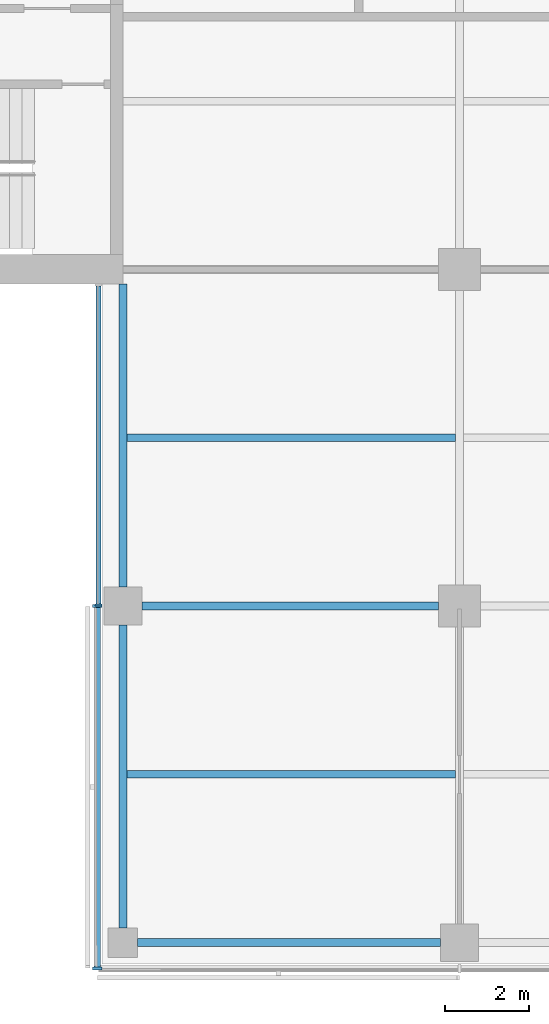
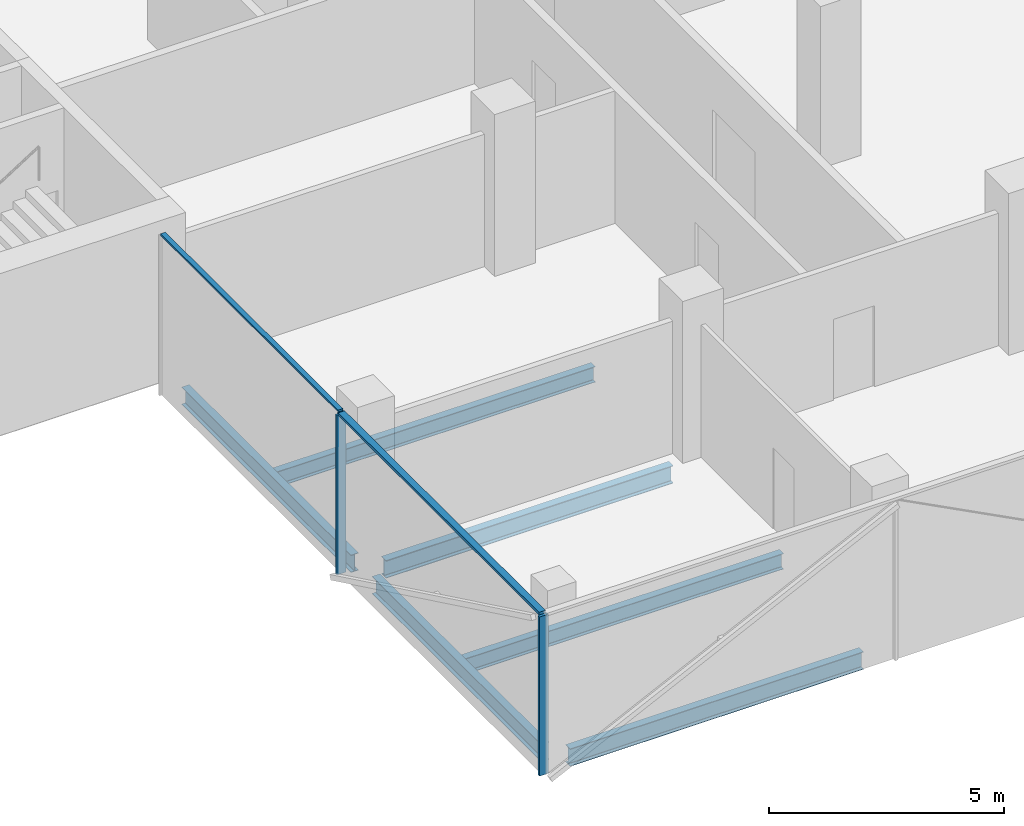
# One storey, part 2 of 22: 6 beams, 5 members, 2 elements without a shape of their own.
"""IFC4 building model written with IfcOpenShell, lengths in metres."""

from ifc_helpers import new_model, si_unit, direction, frame, origin, origin_2d, place, context, subcontext, project, spatial, rectangle, i_section, extrude, material, material_profile, profile_set, type_object, element, aggregate, save


model = new_model("IFC4")

# Units and contexts
model_context = context("Model", 3, precision=1e-05, world=origin(), true_north=direction((0.0, 1.0)))
body_context = subcontext(model_context, "Body", "Model", "MODEL_VIEW")
ifc_project = project(units=[si_unit("LENGTHUNIT", "METRE"), si_unit("AREAUNIT", "SQUARE_METRE"), si_unit("VOLUMEUNIT", "CUBIC_METRE"), si_unit("PLANEANGLEUNIT", "RADIAN"), si_unit("MASSUNIT", "GRAM", prefix="KILO")], contexts=[model_context])

# Site, building, storey
site_placement = place(None, origin())
site = spatial("IfcSite", under=ifc_project, at=site_placement, CompositionType="ELEMENT")
building_placement = place(site_placement, origin())
building = spatial("IfcBuilding", under=site, at=building_placement, Name="Crosswind Convention Tower", CompositionType="ELEMENT")
storey_placement = place(building_placement, frame((0.0, 0.0, 158.89990234375)))
storey = spatial("IfcBuildingStorey", under=building, at=storey_placement, Name="L33", CompositionType="ELEMENT", Elevation=158.89990234375)

# Beams
ifc_material_1 = material(Name="Steel S355", Category="steel")
ifc_material_profile_1 = material_profile(ifc_material_1, i_section(OverallWidth=0.18994140625, OverallDepth=0.45361328125, WebThickness=0.008544921875, FlangeThickness=0.0126953125, FilletRadius=0.01025390625, at=origin_2d()), Name="UB 457x191x67")
ifc_profile_set_1 = profile_set([ifc_material_profile_1], Name="Steel S355")
beam_type_1 = type_object("IfcBeamType", Name="Edge beam UB 457x191x67", PredefinedType="SPANDREL", material=ifc_profile_set_1)
for number, where, z_axis, x_axis, name in (
    (1, (113.0, 72.35009765625, -0.526611328125), (0.0, 1.0, 0.0), (-1.0, 0.0, 0.0), "B16 L33 edge beam 6"),
    (2, (113.0, 80.449951171875, -0.526611328125), (0.0, 1.0, 0.0), (-1.0, 0.0, 0.0), "B16 L33 edge beam 7"),
    (3, (113.35009765625, 72.0, -0.526611328125), (1.0, 0.0, 0.0), (0.0, 1.0, 0.0), "B16 L33 edge beam 10"),
):
    element("IfcBeam", number, at=place(storey_placement, frame(where, z_axis=z_axis, x_axis=x_axis)), inside=storey, type_object=beam_type_1, Name=name, PredefinedType="SPANDREL", context=body_context, shape_type="SweptSolid", body=[
        extrude(i_section(OverallWidth=0.18994140625, OverallDepth=0.45361328125, WebThickness=0.008544921875, FlangeThickness=0.0126953125, FilletRadius=0.01025390625, at=origin_2d()), origin(), (0.0, 0.0, 1.0), 7.199951171875),
    ])
ifc_material_profile_2 = material_profile(ifc_material_1, i_section(OverallWidth=0.19140625, OverallDepth=0.460205078125, WebThickness=0.010009765625, FlangeThickness=0.01611328125, FilletRadius=0.01025390625, at=origin_2d()), Name="UB 457x191x82")
ifc_profile_set_2 = profile_set([ifc_material_profile_2], Name="Steel S355")
beam_type_2 = type_object("IfcBeamType", Name="Girder UB 457x191x82", PredefinedType="BEAM", material=ifc_profile_set_2)
beam_placement = place(storey_placement, frame((113.449951171875, 80.0, -0.530029296875), z_axis=(1.0, 0.0, 0.0), x_axis=(0.0, 1.0, 0.0)))
element("IfcBeam", 4, at=beam_placement, inside=storey, type_object=beam_type_2, Name="B3 L33 girder 1", PredefinedType="BEAM", context=body_context, shape_type="SweptSolid", body=[
    extrude(i_section(OverallWidth=0.19140625, OverallDepth=0.460205078125, WebThickness=0.010009765625, FlangeThickness=0.01611328125, FilletRadius=0.01025390625, at=origin_2d()), origin(), (0.0, 0.0, 1.0), 7.050048828125),
])

# Curtain wall, member
ifc_material_2 = material(Name="Aluminium unitised curtain wall", Category="aluminium")
curtain_wall_type_1 = type_object("IfcCurtainWallType", Name="CORE END SLOT WALL 160", PredefinedType="USERDEFINED", material=ifc_material_2)
curtain_wall_1_placement = place(storey_placement, origin())
curtain_wall_1 = element("IfcCurtainWall", 5, at=curtain_wall_1_placement, inside=storey, type_object=curtain_wall_type_1, Name="CW6 L33 S-W.1-1 slot", ObjectType="UNITISED", PredefinedType="USERDEFINED")
ifc_material_3 = material(Name="Aluminium mullion", Category="aluminium")
ifc_material_profile_3 = material_profile(ifc_material_3, rectangle(XDim=0.159912109375, YDim=0.050048828125, at=origin_2d()), Name="AL 160X50")
ifc_profile_set_3 = profile_set([ifc_material_profile_3], Name="Aluminium mullion")
member_type_1 = type_object("IfcMemberType", Name="MULLION 50X160", PredefinedType="MULLION", material=ifc_profile_set_3)
member_1_placement = place(storey_placement, frame((112.419921875, 80.02490234375, -0.2998046875), z_axis=(0.0, 0.0, 1.0), x_axis=(-1.0, 0.0, 0.0)))
member_1 = element("IfcMember", 6, at=member_1_placement, type_object=member_type_1, Name="CW6 mullion 2", PredefinedType="MULLION", context=body_context, shape_type="SweptSolid", body=[
    extrude(rectangle(XDim=0.159912109375, YDim=0.050048828125, at=origin_2d()), origin(), (0.0, 0.0, 1.0), 4.14990234375),
])

# Curtain wall, members
curtain_wall_type_2 = type_object("IfcCurtainWallType", Name="OFFICE UNITISED WALL 220", PredefinedType="USERDEFINED", material=ifc_material_2)
curtain_wall_2_placement = place(storey_placement, origin())
curtain_wall_2 = element("IfcCurtainWall", 7, at=curtain_wall_2_placement, inside=storey, type_object=curtain_wall_type_2, Name="CW3 L33 S-W 1", ObjectType="UNITISED", PredefinedType="USERDEFINED")
ifc_material_profile_4 = material_profile(ifc_material_3, rectangle(XDim=0.219970703125, YDim=0.070068359375, at=origin_2d()), Name="AL 220X70")
ifc_profile_set_4 = profile_set([ifc_material_profile_4], Name="Aluminium mullion")
member_type_2 = type_object("IfcMemberType", Name="MULLION 70X220", PredefinedType="MULLION", material=ifc_profile_set_4)
member_2_placement = place(storey_placement, frame((112.389892578125, 80.0, -0.2998046875), z_axis=(0.0, 0.0, 1.0), x_axis=(-1.0, 0.0, 0.0)))
member_2 = element("IfcMember", 8, at=member_2_placement, type_object=member_type_2, Name="CW3 mullion 1", PredefinedType="MULLION", context=body_context, shape_type="SweptSolid", body=[
    extrude(rectangle(XDim=0.219970703125, YDim=0.070068359375, at=origin_2d()), origin(), (0.0, 0.0, 1.0), 4.1298828125),
])
member_3_placement = place(storey_placement, frame((112.389892578125, 71.389892578125, -0.2998046875), z_axis=(0.0, 0.0, 1.0), x_axis=(-1.0, 0.0, 0.0)))
member_3 = element("IfcMember", 9, at=member_3_placement, type_object=member_type_2, Name="CW3 mullion 2", PredefinedType="MULLION", context=body_context, shape_type="SweptSolid", body=[
    extrude(rectangle(XDim=0.219970703125, YDim=0.070068359375, at=origin_2d()), origin(), (0.0, 0.0, 1.0), 4.1298828125),
])

# Beams
ifc_material_profile_5 = material_profile(ifc_material_1, i_section(OverallWidth=0.177734375, OverallDepth=0.406494140625, WebThickness=0.0078125, FlangeThickness=0.0126953125, FilletRadius=0.01025390625, at=origin_2d()), Name="UB 406x178x60")
ifc_profile_set_5 = profile_set([ifc_material_profile_5], Name="Steel S355")
beam_type_3 = type_object("IfcBeamType", Name="Secondary beam UB 406x178x60", PredefinedType="JOIST", material=ifc_profile_set_5)
for number, where, z_axis, x_axis, name in (
    (10, (113.094970703125, 76.0, -0.503173828125), (1.0, 0.0, 0.0), (0.0, 1.0, 0.0), "B10 L33 secondary beam 7"),
    (11, (113.094970703125, 84.0, -0.503173828125), (1.0, 0.0, 0.0), (0.0, 1.0, 0.0), "B10 L33 secondary beam 8"),
):
    element("IfcBeam", number, at=place(storey_placement, frame(where, z_axis=z_axis, x_axis=x_axis)), inside=storey, type_object=beam_type_3, Name=name, PredefinedType="JOIST", context=body_context, shape_type="SweptSolid", body=[
        extrude(i_section(OverallWidth=0.177734375, OverallDepth=0.406494140625, WebThickness=0.0078125, FlangeThickness=0.0126953125, FilletRadius=0.01025390625, at=origin_2d()), origin(), (0.0, 0.0, 1.0), 7.809326171875),
    ])

# Member
ifc_material_4 = material(Name="Aluminium transom", Category="aluminium")
ifc_material_profile_6 = material_profile(ifc_material_4, rectangle(XDim=0.1201171875, YDim=0.050048828125, at=origin_2d()), Name="AL 120X50")
ifc_profile_set_6 = profile_set([ifc_material_profile_6], Name="Aluminium transom")
member_type_3 = type_object("IfcMemberType", Name="TRANSOM 50X120", PredefinedType="USERDEFINED", material=ifc_profile_set_6)
member_4_placement = place(storey_placement, frame((112.419921875, 87.60009765625, 3.875), z_axis=(0.0, -1.0, 0.0), x_axis=(1.0, 0.0, 0.0)))
member_4 = element("IfcMember", 12, at=member_4_placement, type_object=member_type_3, Name="CW6 transom", ObjectType="TRANSOM", PredefinedType="USERDEFINED", context=body_context, shape_type="SweptSolid", body=[
    extrude(rectangle(XDim=0.1201171875, YDim=0.050048828125, at=origin_2d()), origin(), (0.0, 0.0, 1.0), 7.550048828125),
])

aggregate(curtain_wall_1, [member_1, member_4])

ifc_material_profile_7 = material_profile(ifc_material_4, rectangle(XDim=0.159912109375, YDim=0.070068359375, at=origin_2d()), Name="AL 160X70")
ifc_profile_set_7 = profile_set([ifc_material_profile_7], Name="Aluminium transom")
member_type_4 = type_object("IfcMemberType", Name="TRANSOM 70X160", PredefinedType="USERDEFINED", material=ifc_profile_set_7)
member_5_placement = place(storey_placement, frame((112.389892578125, 79.965087890625, 3.864990234375), z_axis=(0.0, -1.0, 0.0), x_axis=(1.0, 0.0, 0.0)))
member_5 = element("IfcMember", 13, at=member_5_placement, type_object=member_type_4, Name="CW3 transom", ObjectType="TRANSOM", PredefinedType="USERDEFINED", context=body_context, shape_type="SweptSolid", body=[
    extrude(rectangle(XDim=0.159912109375, YDim=0.070068359375, at=origin_2d()), origin(), (0.0, 0.0, 1.0), 8.5400390625),
])

aggregate(curtain_wall_2, [member_2, member_3, member_5])

save(model, "model.ifc")
